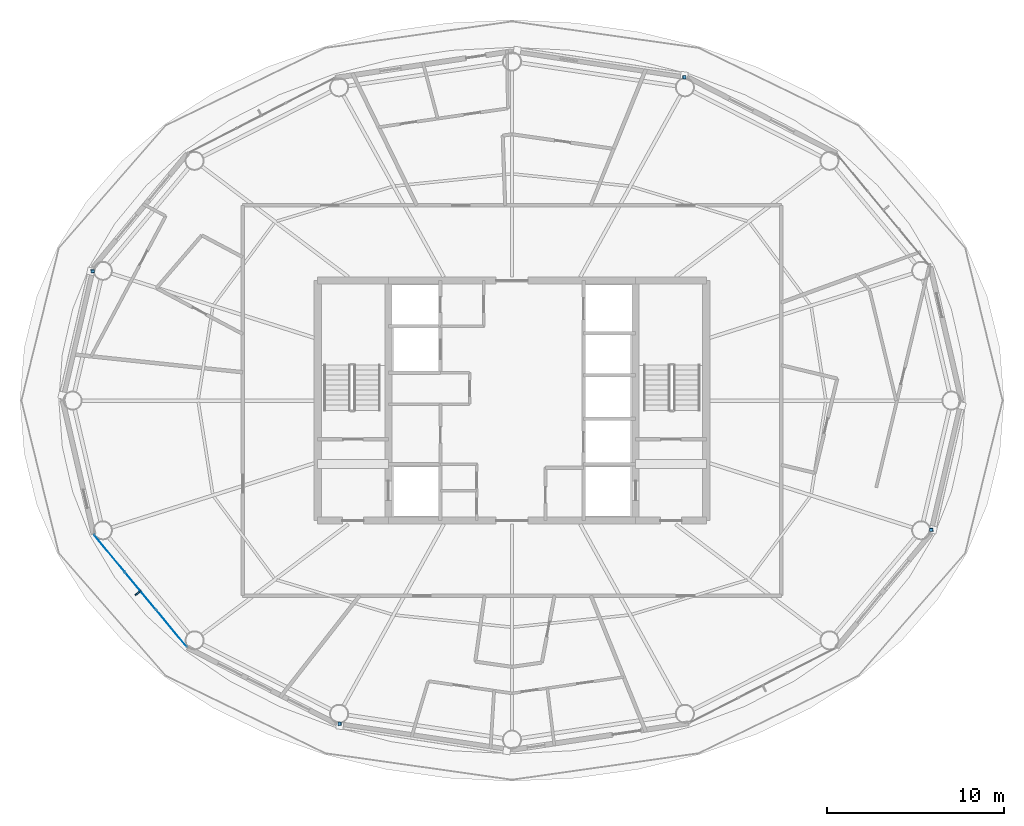
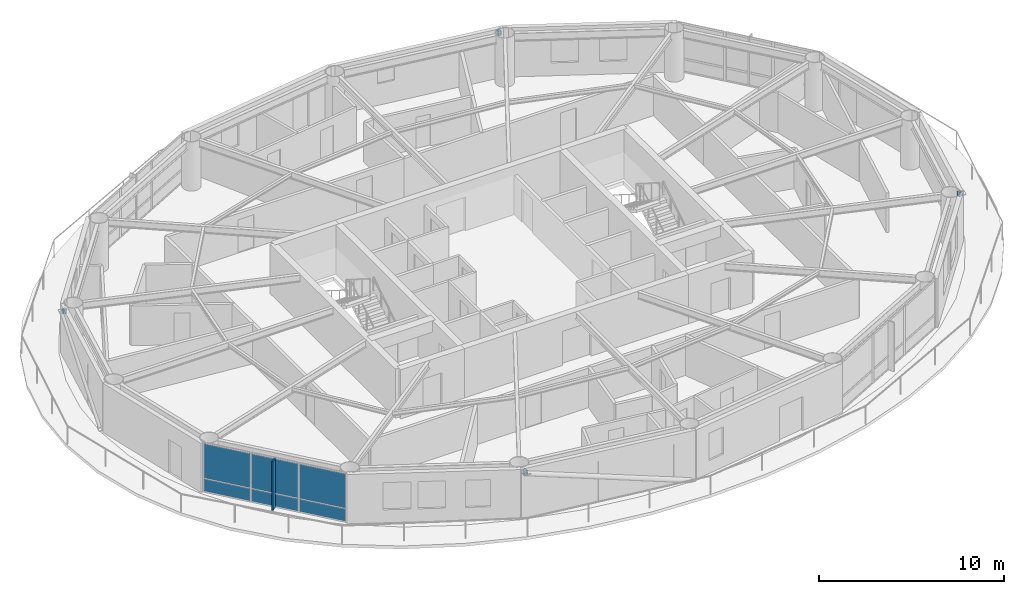
# One storey, part 15 of 24: 7 plates, 4 members, 1 element without a shape of its own.
"""IFC4 building model written with IfcOpenShell, lengths in metres."""

from ifc_helpers import new_model, si_unit, direction, frame, origin, origin_2d, place, context, subcontext, project, spatial, rectangle, hollow_rectangle, extrude, material, layer, layer_set, material_profile, profile_set, type_object, element, aggregate, save


model = new_model("IFC4")

# Units and contexts
model_context = context("Model", 3, precision=1e-05, world=origin(), true_north=direction((0.0, 1.0)))
body_context = subcontext(model_context, "Body", "Model", "MODEL_VIEW")
ifc_project = project(units=[si_unit("LENGTHUNIT", "METRE"), si_unit("AREAUNIT", "SQUARE_METRE"), si_unit("VOLUMEUNIT", "CUBIC_METRE"), si_unit("PLANEANGLEUNIT", "RADIAN"), si_unit("MASSUNIT", "GRAM", prefix="KILO")], contexts=[model_context])

# Site, building, storey
site_placement = place(None, origin())
site = spatial("IfcSite", under=ifc_project, at=site_placement, CompositionType="ELEMENT")
building_placement = place(site_placement, origin())
building = spatial("IfcBuilding", under=site, at=building_placement, Name="Sarneth Arch Tower", CompositionType="ELEMENT")
storey_placement = place(building_placement, frame((0.0, 0.0, 253.199951171875)))
storey = spatial("IfcBuildingStorey", under=building, at=storey_placement, Name="L65", CompositionType="ELEMENT", Elevation=253.199951171875)

# Members
ifc_material_1 = material(Name="Steel S355", Category="steel")
ifc_material_profile = material_profile(ifc_material_1, hollow_rectangle(XDim=0.199951171875, YDim=0.300048828125, WallThickness=0.012451171875, InnerFilletRadius=0.018798828125, OuterFilletRadius=0.03125, at=origin_2d()), Name="RHS300x200x12.5")
ifc_profile_set = profile_set([ifc_material_profile], Name="Steel S355")
member_type = type_object("IfcMemberType", Name="MEM-CANT-STRUT", PredefinedType="STRUT", material=ifc_profile_set)
member_1_placement = place(storey_placement, frame((57.76513671875, 60.210205078125, 2.9267578125), z_axis=(-0.054530394419, 0.998512111136, 0.0), x_axis=(-0.998512111136, -0.054530394419, 0.0)))
element("IfcMember", 1, at=member_1_placement, inside=storey, type_object=member_type, Name="L65 Exoskeleton brace node strut 04B", PredefinedType="STRUT", context=body_context, shape_type="SweptSolid", body=[
    extrude(hollow_rectangle(XDim=0.199951171875, YDim=0.300048828125, WallThickness=0.012451171875, InnerFilletRadius=0.018798828125, OuterFilletRadius=0.03125, at=origin_2d()), origin(), (0.0, 0.0, 1.0), 0.201416015625),
])
member_2_placement = place(storey_placement, frame((24.359130859375, 49.325439453125, 2.9267578125), z_axis=(-0.998875971008, -0.047400364365, 0.0), x_axis=(0.047400364365, -0.998875971008, 0.0)))
element("IfcMember", 2, at=member_2_placement, inside=storey, type_object=member_type, Name="L65 Exoskeleton brace node strut 08B", PredefinedType="STRUT", context=body_context, shape_type="SweptSolid", body=[
    extrude(hollow_rectangle(XDim=0.199951171875, YDim=0.300048828125, WallThickness=0.012451171875, InnerFilletRadius=0.018798828125, OuterFilletRadius=0.03125, at=origin_2d()), origin(), (0.0, 0.0, 1.0), 0.211181640625),
])
member_3_placement = place(storey_placement, frame((38.23486328125, 23.789794921875, 2.9267578125), z_axis=(0.054530394419, -0.998512111136, 0.0), x_axis=(0.998512111136, 0.054530394419, 0.0)))
element("IfcMember", 3, at=member_3_placement, inside=storey, type_object=member_type, Name="L65 Exoskeleton brace node strut 12B", PredefinedType="STRUT", context=body_context, shape_type="SweptSolid", body=[
    extrude(hollow_rectangle(XDim=0.199951171875, YDim=0.300048828125, WallThickness=0.012451171875, InnerFilletRadius=0.018798828125, OuterFilletRadius=0.03125, at=origin_2d()), origin(), (0.0, 0.0, 1.0), 0.201416015625),
])
member_4_placement = place(storey_placement, frame((71.640869140625, 34.674560546875, 2.9267578125), z_axis=(0.998875971008, 0.047400364365, 0.0), x_axis=(-0.047400364365, 0.998875971008, 0.0)))
element("IfcMember", 4, at=member_4_placement, inside=storey, type_object=member_type, Name="L65 Exoskeleton brace node strut 16B", PredefinedType="STRUT", context=body_context, shape_type="SweptSolid", body=[
    extrude(hollow_rectangle(XDim=0.199951171875, YDim=0.300048828125, WallThickness=0.012451171875, InnerFilletRadius=0.018798828125, OuterFilletRadius=0.03125, at=origin_2d()), origin(), (0.0, 0.0, 1.0), 0.211181640625),
])

# Curtain wall, plates
ifc_material_2 = material(Name="Anodised aluminium Type AA25 and solar-control low-e laminated IGU", Category="aluminium")
ifc_layer_1 = layer(ifc_material_2, 0.179931640625)
ifc_layer_set_1 = layer_set([ifc_layer_1], Name="Anodised aluminium Type AA25 and solar-control low-e laminated IGU")
curtain_wall_type = type_object("IfcCurtainWallType", Name="CW-RES-HIGH", PredefinedType="NOTDEFINED", material=ifc_layer_set_1)
curtain_wall_placement = place(storey_placement, origin())
curtain_wall = element("IfcCurtainWall", 5, at=curtain_wall_placement, inside=storey, type_object=curtain_wall_type, Name="L65 Unitised curtain wall facet 10", PredefinedType="NOTDEFINED")
ifc_material_3 = material(Name="Solar-control low-e laminated IGU", Category="glass")
ifc_layer_2 = layer(ifc_material_3, 0.028076171875)
ifc_layer_set_2 = layer_set([ifc_layer_2], Name="Solar-control low-e laminated IGU")
plate_type_1 = type_object("IfcPlateType", Name="CW-PANEL", PredefinedType="CURTAIN_PANEL", material=ifc_layer_set_2)
plate_1_placement = place(storey_placement, frame((25.200927734375, 33.349365234375, 0.06005859375), z_axis=(0.0, 0.0, 1.0), x_axis=(0.637610094184, -0.770359245933, 0.0)))
plate_1 = element("IfcPlate", 6, at=plate_1_placement, type_object=plate_type_1, Name="Curtain wall glazed vision pane CW-L65-F10/P00-00", PredefinedType="CURTAIN_PANEL", context=body_context, shape_type="SweptSolid", body=[
    extrude(rectangle(XDim=2.686767578125, YDim=0.028076171875, at=origin_2d()), origin(), (0.0, 0.0, 1.0), 0.81005859375),
])
plate_2_placement = place(storey_placement, frame((25.200927734375, 33.349365234375, 0.93017578125), z_axis=(0.0, 0.0, 1.0), x_axis=(0.637610094184, -0.770359245933, 0.0)))
plate_2 = element("IfcPlate", 7, at=plate_2_placement, type_object=plate_type_1, Name="Curtain wall glazed vision pane CW-L65-F10/P00-01", PredefinedType="CURTAIN_PANEL", context=body_context, shape_type="SweptSolid", body=[
    extrude(rectangle(XDim=2.686767578125, YDim=0.028076171875, at=origin_2d()), origin(), (0.0, 0.0, 1.0), 2.260009765625),
])
plate_3_placement = place(storey_placement, frame((26.9619140625, 31.221923828125, 0.06005859375), z_axis=(0.0, 0.0, 1.0), x_axis=(0.637610094184, -0.770359245933, 0.0)))
plate_3 = element("IfcPlate", 8, at=plate_3_placement, type_object=plate_type_1, Name="Curtain wall glazed vision pane CW-L65-F10/P01-00", PredefinedType="CURTAIN_PANEL", context=body_context, shape_type="SweptSolid", body=[
    extrude(rectangle(XDim=2.716552734375, YDim=0.028076171875, at=origin_2d()), origin(), (0.0, 0.0, 1.0), 0.81005859375),
])
plate_4_placement = place(storey_placement, frame((26.9619140625, 31.221923828125, 0.93017578125), z_axis=(0.0, 0.0, 1.0), x_axis=(0.637610094184, -0.770359245933, 0.0)))
plate_4 = element("IfcPlate", 9, at=plate_4_placement, type_object=plate_type_1, Name="Curtain wall glazed vision pane CW-L65-F10/P01-01", PredefinedType="CURTAIN_PANEL", context=body_context, shape_type="SweptSolid", body=[
    extrude(rectangle(XDim=2.716552734375, YDim=0.028076171875, at=origin_2d()), origin(), (0.0, 0.0, 1.0), 2.260009765625),
])
plate_5_placement = place(storey_placement, frame((28.72265625, 29.094482421875, 0.06005859375), z_axis=(0.0, 0.0, 1.0), x_axis=(0.637610094184, -0.770359245933, 0.0)))
plate_5 = element("IfcPlate", 10, at=plate_5_placement, type_object=plate_type_1, Name="Curtain wall glazed vision pane CW-L65-F10/P02-00", PredefinedType="CURTAIN_PANEL", context=body_context, shape_type="SweptSolid", body=[
    extrude(rectangle(XDim=2.686767578125, YDim=0.028076171875, at=origin_2d()), origin(), (0.0, 0.0, 1.0), 0.81005859375),
])
plate_6_placement = place(storey_placement, frame((28.72265625, 29.094482421875, 0.93017578125), z_axis=(0.0, 0.0, 1.0), x_axis=(0.637610094184, -0.770359245933, 0.0)))
plate_6 = element("IfcPlate", 11, at=plate_6_placement, type_object=plate_type_1, Name="Curtain wall glazed vision pane CW-L65-F10/P02-01", PredefinedType="CURTAIN_PANEL", context=body_context, shape_type="SweptSolid", body=[
    extrude(rectangle(XDim=2.686767578125, YDim=0.028076171875, at=origin_2d()), origin(), (0.0, 0.0, 1.0), 2.260009765625),
])
aggregate(curtain_wall, [plate_1, plate_2, plate_3, plate_4, plate_5, plate_6])

# Plate
ifc_material_4 = material(Name="Extruded glazed terracotta baguette fin on Aluminium 6063-T6 carrier", Category="masonry")
ifc_layer_3 = layer(ifc_material_4, 0.080078125)
ifc_layer_set_3 = layer_set([ifc_layer_3], Name="Extruded glazed terracotta baguette fin on Aluminium 6063-T6 carrier")
plate_type_2 = type_object("IfcPlateType", Name="SHADE-TERRA-FIN", PredefinedType="SHEET", material=ifc_layer_set_3)
plate_7_placement = place(storey_placement, frame((26.830810546875, 31.113525390625, 0.010009765625), z_axis=(0.0, 0.0, 1.0), x_axis=(-0.770401979567, -0.63755845997, 0.0)))
element("IfcPlate", 12, at=plate_7_placement, inside=storey, type_object=plate_type_2, Name="L65 Terracotta vertical shading fin 10", PredefinedType="SHEET", context=body_context, shape_type="SweptSolid", body=[
    extrude(rectangle(XDim=0.419921875, YDim=0.080078125, at=origin_2d()), origin(), (0.0, 0.0, 1.0), 3.22998046875),
])

save(model, "model.ifc")
